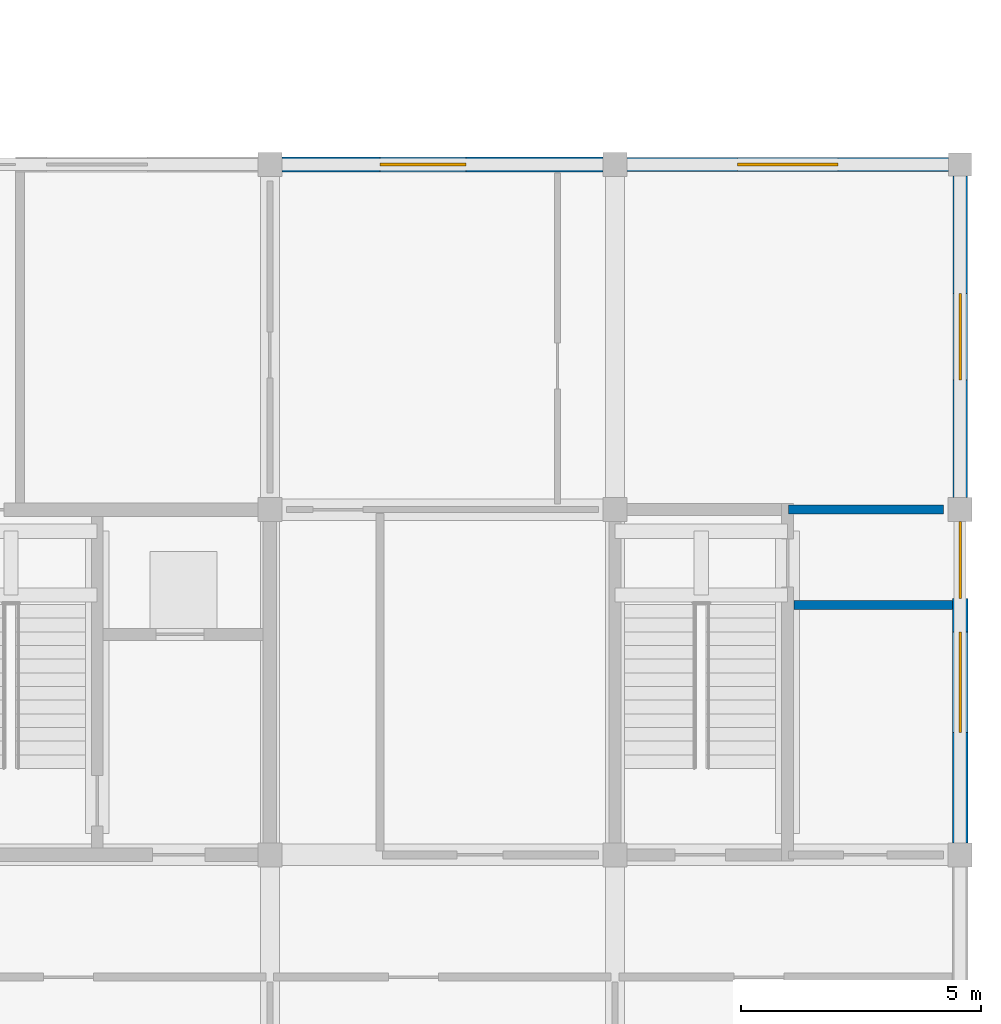
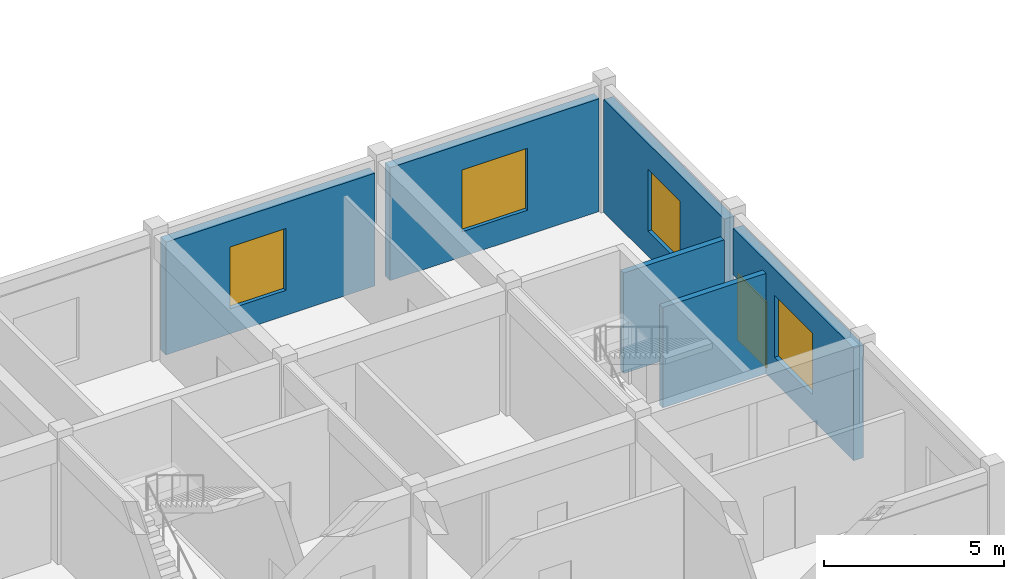
# One storey, part 104 of 138: 6 walls, 4 windows, 1 door, 5 openings.
"""IFC4 building model written with IfcOpenShell, lengths in metres."""

from ifc_helpers import new_model, si_unit, direction, frame, frame_2d, origin, place, context, subcontext, project, spatial, rectangle, extrude, material, layer, layer_set, type_object, element, fill, save


model = new_model("IFC4")

# Units and contexts
model_context = context("Model", 3, precision=1e-05, world=origin(), true_north=direction((0.0, 1.0)))
body_context = subcontext(model_context, "Body", "Model", "MODEL_VIEW")
ifc_project = project(units=[si_unit("LENGTHUNIT", "METRE"), si_unit("AREAUNIT", "SQUARE_METRE"), si_unit("VOLUMEUNIT", "CUBIC_METRE"), si_unit("PLANEANGLEUNIT", "RADIAN"), si_unit("MASSUNIT", "GRAM", prefix="KILO"), si_unit("THERMODYNAMICTEMPERATUREUNIT", "KELVIN"), si_unit("POWERUNIT", "WATT")], contexts=[model_context])

# Site, building, storey
site_placement = place(None, origin())
site = spatial("IfcSite", under=ifc_project, at=site_placement, CompositionType="ELEMENT")
building_placement = place(site_placement, origin())
building = spatial("IfcBuilding", under=site, at=building_placement, Name="Tavuni Mirador Residences", CompositionType="ELEMENT")
storey_placement = place(building_placement, origin())
storey = spatial("IfcBuildingStorey", under=building, at=storey_placement, Name="L00", CompositionType="ELEMENT", Elevation=0.0)

# Walls
ifc_material_1 = material(Name="Precast concrete C40/50", Category="concrete")
ifc_layer_1 = layer(ifc_material_1, 0.18505859375, Name="Precast concrete C40/50", Category="concrete")
ifc_layer_set_1 = layer_set([ifc_layer_1], Name="Precast concrete C40/50")
wall_type_1 = type_object("IfcWallType", Name="WT-CORR185", PredefinedType="PARTITIONING", material=ifc_layer_set_1)
wall_1_placement = place(storey_placement, frame((115.219970703125, 57.60009765625, 0.0), z_axis=(0.0, 0.0, 1.0), x_axis=(1.0, 0.0, 0.0)))
element("IfcWall", 1, at=wall_1_placement, inside=storey, type_object=wall_type_1, Name="PW-NURS-L00-N3", PredefinedType="PARTITIONING", context=body_context, shape_type="SweptSolid", body=[
    extrude(rectangle(XDim=3.22998046875, YDim=0.18505859375, at=frame_2d((1.614990234375, 0.0))), origin(), (0.0, 0.0, 1.0), 3.409912109375),
])
wall_2_placement = place(storey_placement, frame((115.330078125, 55.614990234375, 0.0), z_axis=(0.0, 0.0, 1.0), x_axis=(1.0, 0.0, 0.0)))
element("IfcWall", 2, at=wall_2_placement, inside=storey, type_object=wall_type_1, Name="XPW-ST12-S", PredefinedType="PARTITIONING", context=body_context, shape_type="SweptSolid", body=[
    extrude(rectangle(XDim=3.309814453125, YDim=0.18505859375, at=frame_2d((1.65478515625, 0.0))), origin(), (0.0, 0.0, 1.0), 3.409912109375),
])

# Wall, opening, window
ifc_material_2 = material(Name="Sgraffito lime-rendered precast concrete C40/50", Category="concrete")
ifc_layer_2 = layer(ifc_material_2, 0.2900390625, Name="Sgraffito lime-rendered precast concrete C40/50", Category="concrete")
ifc_layer_set_2 = layer_set([ifc_layer_2], Name="Sgraffito lime-rendered precast concrete C40/50")
wall_type_2 = type_object("IfcWallType", Name="WT-EXT-PC290", PredefinedType="SOLIDWALL", material=ifc_layer_set_2)
wall_3_placement = place(storey_placement, frame((118.56005859375, 64.800048828125, 0.0), z_axis=(0.0, 0.0, 1.0), x_axis=(-1.0, 0.0, 0.0)))
wall_3 = element("IfcWall", 3, at=wall_3_placement, inside=storey, type_object=wall_type_2, Name="EW-PAV-NURS-L00-N03", PredefinedType="SOLIDWALL", context=body_context, shape_type="SweptSolid", body=[
    extrude(rectangle(XDim=6.7099609375, YDim=0.2900390625, at=frame_2d((3.35498046875, 0.0))), origin(), (0.0, 0.0, 1.0), 3.830078125),
])
opening_1_placement = place(wall_3_placement, frame((2.304931640625, 0.0, 0.85009765625)))
opening_1 = element("IfcOpeningElement", 4, at=opening_1_placement, cuts=wall_3, Name="Opening WN-32", PredefinedType="OPENING", context=body_context, shape_type="SweptSolid", body=[
    extrude(rectangle(XDim=2.10009765625, YDim=2.10009765625, at=frame_2d((1.050048828125, 1.050048828125))), frame((0.0, 0.155029296875, 0.0), z_axis=(0.0, -1.0, 0.0), x_axis=(1.0, 0.0, 0.0)), (0.0, 0.0, 1.0), 0.31005859375),
])
ifc_material_3 = material(Name="Laminated solar-control glass", Category="glass")
window_type_1 = type_object("IfcWindowType", Name="WNT-32", PartitioningType="SINGLE_PANEL", PredefinedType="WINDOW", material=ifc_material_3)
window_1_placement = place(opening_1_placement, origin())
window_1 = element("IfcWindow", 5, at=window_1_placement, inside=storey, type_object=window_type_1, Name="WIN-1845", OverallHeight=2.10009765625, OverallWidth=2.10009765625, PartitioningType="SINGLE_PANEL", PredefinedType="WINDOW", context=body_context, shape_type="SweptSolid", body=[
    extrude(rectangle(XDim=2.10009765625, YDim=2.10009765625, at=frame_2d((1.050048828125, 1.050048828125))), frame((0.0, 0.030029296875, 0.0), z_axis=(0.0, -1.0, 0.0), x_axis=(1.0, 0.0, 0.0)), (0.0, 0.0, 1.0), 0.06005859375),
])
fill(opening_1, window_1)

ifc_layer_3 = layer(ifc_material_2, 0.304931640625, Name="Sgraffito lime-rendered precast concrete C40/50", Category="concrete")
ifc_layer_set_3 = layer_set([ifc_layer_3], Name="Sgraffito lime-rendered precast concrete C40/50")
wall_type_3 = type_object("IfcWallType", Name="WT-EXT-PC305", PredefinedType="SOLIDWALL", material=ifc_layer_set_3)
wall_4_placement = place(storey_placement, frame((118.800048828125, 57.85009765625, 0.0), z_axis=(0.0, 0.0, 1.0), x_axis=(0.0, 1.0, 0.0)))
wall_4 = element("IfcWall", 6, at=wall_4_placement, inside=storey, type_object=wall_type_3, Name="EW-PAV-NURS-L00-E02", PredefinedType="SOLIDWALL", context=body_context, shape_type="SweptSolid", body=[
    extrude(rectangle(XDim=6.7099609375, YDim=0.304931640625, at=frame_2d((3.35498046875, 0.0))), origin(), (0.0, 0.0, 1.0), 3.830078125),
])
opening_2_placement = place(wall_4_placement, frame((2.455078125, 0.0, 0.85009765625)))
opening_2 = element("IfcOpeningElement", 7, at=opening_2_placement, cuts=wall_4, Name="Opening WN-31", PredefinedType="OPENING", context=body_context, shape_type="SweptSolid", body=[
    extrude(rectangle(XDim=1.800048828125, YDim=2.10009765625, at=frame_2d((0.89990234375, 1.050048828125))), frame((0.0, 0.16259765625, 0.0), z_axis=(0.0, -1.0, 0.0), x_axis=(1.0, 0.0, 0.0)), (0.0, 0.0, 1.0), 0.324951171875),
])
window_type_2 = type_object("IfcWindowType", Name="WNT-31", PartitioningType="SINGLE_PANEL", PredefinedType="WINDOW", material=ifc_material_3)
window_2_placement = place(opening_2_placement, origin())
window_2 = element("IfcWindow", 8, at=window_2_placement, inside=storey, type_object=window_type_2, Name="WIN-1844", OverallHeight=2.10009765625, OverallWidth=1.800048828125, PartitioningType="SINGLE_PANEL", PredefinedType="WINDOW", context=body_context, shape_type="SweptSolid", body=[
    extrude(rectangle(XDim=1.800048828125, YDim=2.10009765625, at=frame_2d((0.89990234375, 1.050048828125))), frame((0.0, 0.030029296875, 0.0), z_axis=(0.0, -1.0, 0.0), x_axis=(1.0, 0.0, 0.0)), (0.0, 0.0, 1.0), 0.06005859375),
])
fill(opening_2, window_2)

wall_5_placement = place(storey_placement, frame((111.35009765625, 64.800048828125, 0.0), z_axis=(0.0, 0.0, 1.0), x_axis=(-1.0, 0.0, 0.0)))
wall_5 = element("IfcWall", 9, at=wall_5_placement, inside=storey, type_object=wall_type_3, Name="EW-PAV-NURS-L00-N02", PredefinedType="SOLIDWALL", context=body_context, shape_type="SweptSolid", body=[
    extrude(rectangle(XDim=6.7001953125, YDim=0.304931640625, at=frame_2d((3.35009765625, 0.0))), origin(), (0.0, 0.0, 1.0), 3.830078125),
])
opening_3_placement = place(wall_5_placement, frame((2.85498046875, 0.0, 0.85009765625)))
opening_3 = element("IfcOpeningElement", 10, at=opening_3_placement, cuts=wall_5, Name="Opening WN-31", PredefinedType="OPENING", context=body_context, shape_type="SweptSolid", body=[
    extrude(rectangle(XDim=1.800048828125, YDim=2.10009765625, at=frame_2d((0.89990234375, 1.050048828125))), frame((0.0, 0.16259765625, 0.0), z_axis=(0.0, -1.0, 0.0), x_axis=(1.0, 0.0, 0.0)), (0.0, 0.0, 1.0), 0.324951171875),
])
window_3_placement = place(opening_3_placement, origin())
window_3 = element("IfcWindow", 11, at=window_3_placement, inside=storey, type_object=window_type_2, Name="WIN-1846", OverallHeight=2.10009765625, OverallWidth=1.800048828125, PartitioningType="SINGLE_PANEL", PredefinedType="WINDOW", context=body_context, shape_type="SweptSolid", body=[
    extrude(rectangle(XDim=1.800048828125, YDim=2.10009765625, at=frame_2d((0.89990234375, 1.050048828125))), frame((0.0, 0.030029296875, 0.0), z_axis=(0.0, -1.0, 0.0), x_axis=(1.0, 0.0, 0.0)), (0.0, 0.0, 1.0), 0.06005859375),
])
fill(opening_3, window_3)

# Wall, openings, door, window
ifc_layer_4 = layer(ifc_material_2, 0.31494140625, Name="Sgraffito lime-rendered precast concrete C40/50", Category="concrete")
ifc_layer_set_4 = layer_set([ifc_layer_4], Name="Sgraffito lime-rendered precast concrete C40/50")
wall_type_4 = type_object("IfcWallType", Name="WT-EXT-PC315", PredefinedType="SOLIDWALL", material=ifc_layer_set_4)
wall_6_placement = place(storey_placement, frame((118.800048828125, 50.64990234375, 0.0), z_axis=(0.0, 0.0, 1.0), x_axis=(0.0, 1.0, 0.0)))
wall_6 = element("IfcWall", 12, at=wall_6_placement, inside=storey, type_object=wall_type_4, Name="EW-PAV-NURS-L00-E01", PredefinedType="SOLIDWALL", context=body_context, shape_type="SweptSolid", body=[
    extrude(rectangle(XDim=6.7001953125, YDim=0.31494140625, at=frame_2d((3.35009765625, 0.0))), origin(), (0.0, 0.0, 1.0), 3.830078125),
])
opening_4_placement = place(wall_6_placement, frame((2.300048828125, 0.0, 0.85009765625)))
opening_4 = element("IfcOpeningElement", 13, at=opening_4_placement, cuts=wall_6, Name="Opening WN-32", PredefinedType="OPENING", context=body_context, shape_type="SweptSolid", body=[
    extrude(rectangle(XDim=2.10009765625, YDim=2.10009765625, at=frame_2d((1.050048828125, 1.050048828125))), frame((0.0, 0.16748046875, 0.0), z_axis=(0.0, -1.0, 0.0), x_axis=(1.0, 0.0, 0.0)), (0.0, 0.0, 1.0), 0.3349609375),
])
opening_5_placement = place(wall_6_placement, frame((5.10009765625, 0.0, 0.0)))
opening_5 = element("IfcOpeningElement", 14, at=opening_5_placement, cuts=wall_6, Name="Opening EN-01", PredefinedType="OPENING", context=body_context, shape_type="SweptSolid", body=[
    extrude(rectangle(XDim=1.60009765625, YDim=2.25, at=frame_2d((0.800048828125, 1.125))), frame((0.0, 0.16748046875, 0.0), z_axis=(0.0, -1.0, 0.0), x_axis=(1.0, 0.0, 0.0)), (0.0, 0.0, 1.0), 0.3349609375),
])
ifc_material_4 = material(Name="Anodised aluminium", Category="aluminium")
door_type = type_object("IfcDoorType", Name="DT-ENT1600", OperationType="DOUBLE_DOOR_SINGLE_SWING", PredefinedType="DOOR", material=ifc_material_4)
door_placement = place(opening_5_placement, frame((1.60009765625, 0.0, 0.0), z_axis=(0.0, 0.0, 1.0), x_axis=(-1.0, 0.0, 0.0)))
door = element("IfcDoor", 15, at=door_placement, inside=storey, type_object=door_type, Name="Final exit door EX-041", OperationType="DOUBLE_DOOR_SINGLE_SWING", OverallHeight=2.25, OverallWidth=1.60009765625, PredefinedType="DOOR", context=body_context, shape_type="SweptSolid", body=[
    extrude(rectangle(XDim=1.60009765625, YDim=2.25, at=frame_2d((0.800048828125, 1.125))), frame((0.0, 0.02490234375, 0.0), z_axis=(0.0, -1.0, 0.0), x_axis=(1.0, 0.0, 0.0)), (0.0, 0.0, 1.0), 0.050048828125),
])
fill(opening_5, door)
window_4_placement = place(opening_4_placement, origin())
window_4 = element("IfcWindow", 16, at=window_4_placement, inside=storey, type_object=window_type_1, Name="WIN-1843", OverallHeight=2.10009765625, OverallWidth=2.10009765625, PartitioningType="SINGLE_PANEL", PredefinedType="WINDOW", context=body_context, shape_type="SweptSolid", body=[
    extrude(rectangle(XDim=2.10009765625, YDim=2.10009765625, at=frame_2d((1.050048828125, 1.050048828125))), frame((0.0, 0.030029296875, 0.0), z_axis=(0.0, -1.0, 0.0), x_axis=(1.0, 0.0, 0.0)), (0.0, 0.0, 1.0), 0.06005859375),
])
fill(opening_4, window_4)

save(model, "model.ifc")
